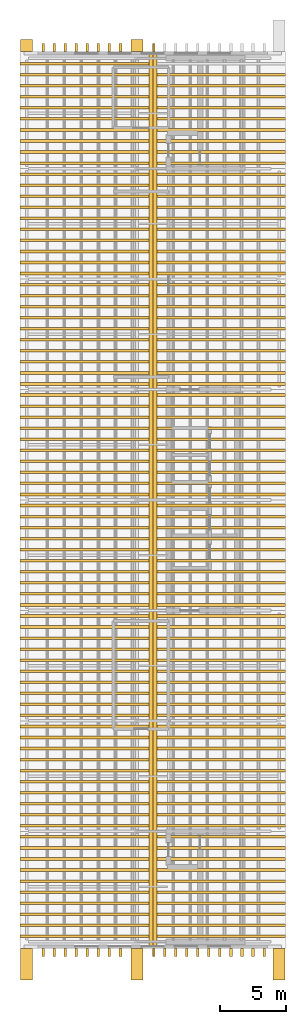
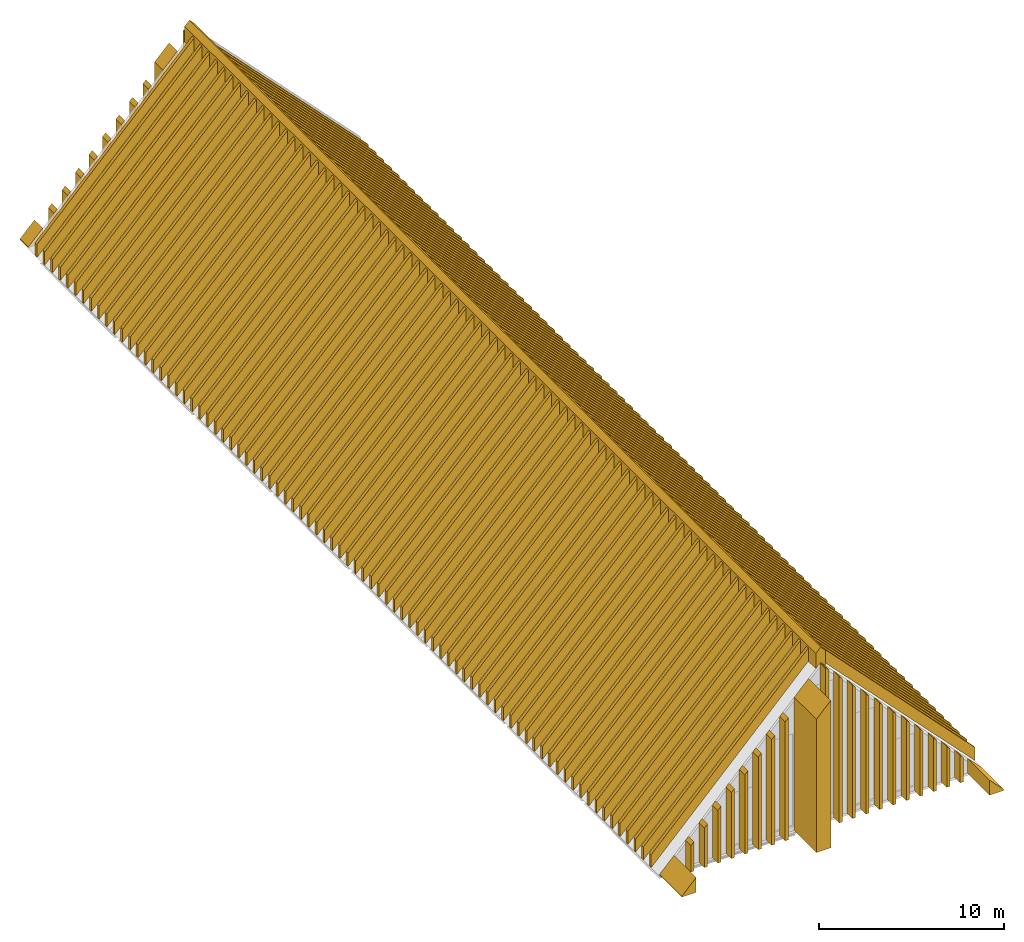
# One storey, part 5 of 6: 193 coverings.
"""IFC4 building model written with IfcOpenShell, lengths in metres."""

from ifc_helpers import new_model, si_unit, direction, frame, origin, place, context, subcontext, project, spatial, polyline, outline, extrude, material, type_object, element, save


model = new_model("IFC4")

# Units and contexts
model_context = context("Model", 3, precision=1e-05, world=origin(), true_north=direction((0.0, 1.0)))
body_context = subcontext(model_context, "Body", "Model", "MODEL_VIEW")
ifc_project = project(units=[si_unit("LENGTHUNIT", "METRE"), si_unit("AREAUNIT", "SQUARE_METRE"), si_unit("VOLUMEUNIT", "CUBIC_METRE"), si_unit("PLANEANGLEUNIT", "RADIAN"), si_unit("MASSUNIT", "GRAM", prefix="KILO")], contexts=[model_context])

# Site, building, storey
site_placement = place(None, origin())
site = spatial("IfcSite", under=ifc_project, at=site_placement, CompositionType="ELEMENT")
building_placement = place(site_placement, origin())
building = spatial("IfcBuilding", under=site, at=building_placement, Name="Cresset Court Congress Hotel", CompositionType="ELEMENT")
storey_placement = place(building_placement, frame((0.0, 0.0, 64.800048828125)))
storey = spatial("IfcBuildingStorey", under=building, at=storey_placement, Name="L15", CompositionType="ELEMENT", Elevation=64.800048828125)

# Coverings
ifc_material_1 = material(Name="Precast concrete C50", Category="concrete")
covering_type_1 = type_object("IfcCoveringType", Name="Precast stone fin 200x600", PredefinedType="CLADDING", material=ifc_material_1)
covering_1_placement = place(storey_placement, frame((0.0, -0.800048828125, -64.800048828125)))
element("IfcCovering", 1, at=covering_1_placement, inside=storey, type_object=covering_type_1, Name="Fin S002", PredefinedType="CLADDING", context=body_context, shape_type="SweptSolid", body=[
    extrude(outline(polyline([(158.360107421875, 64.800048828125), (158.56005859375, 64.800048828125), (158.56005859375, 66.733642578125), (158.360107421875, 66.525634765625), (158.360107421875, 64.800048828125)])), frame((0.0, 0.300048828125, 0.0), z_axis=(0.0, -1.0, 0.0), x_axis=(1.0, 0.0, 0.0)), (0.0, 0.0, 1.0), 0.60009765625),
])
covering_2_placement = place(storey_placement, frame((0.0, -0.800048828125, -64.800048828125)))
element("IfcCovering", 2, at=covering_2_placement, inside=storey, type_object=covering_type_1, Name="Fin S003", PredefinedType="CLADDING", context=body_context, shape_type="SweptSolid", body=[
    extrude(outline(polyline([(159.199951171875, 64.800048828125), (159.39990234375, 64.800048828125), (159.39990234375, 67.60693359375), (159.199951171875, 67.39892578125), (159.199951171875, 64.800048828125)])), frame((0.0, 0.300048828125, 0.0), z_axis=(0.0, -1.0, 0.0), x_axis=(1.0, 0.0, 0.0)), (0.0, 0.0, 1.0), 0.60009765625),
])
covering_3_placement = place(storey_placement, frame((0.0, -0.800048828125, -64.800048828125)))
element("IfcCovering", 3, at=covering_3_placement, inside=storey, type_object=covering_type_1, Name="Fin S004", PredefinedType="CLADDING", context=body_context, shape_type="SweptSolid", body=[
    extrude(outline(polyline([(160.0400390625, 64.800048828125), (160.239990234375, 64.800048828125), (160.239990234375, 68.480224609375), (160.0400390625, 68.272216796875), (160.0400390625, 64.800048828125)])), frame((0.0, 0.300048828125, 0.0), z_axis=(0.0, -1.0, 0.0), x_axis=(1.0, 0.0, 0.0)), (0.0, 0.0, 1.0), 0.60009765625),
])
covering_4_placement = place(storey_placement, frame((0.0, -0.800048828125, -64.800048828125)))
element("IfcCovering", 4, at=covering_4_placement, inside=storey, type_object=covering_type_1, Name="Fin S005", PredefinedType="CLADDING", context=body_context, shape_type="SweptSolid", body=[
    extrude(outline(polyline([(160.8798828125, 64.800048828125), (161.080078125, 64.800048828125), (161.080078125, 69.353515625), (160.8798828125, 69.1455078125), (160.8798828125, 64.800048828125)])), frame((0.0, 0.300048828125, 0.0), z_axis=(0.0, -1.0, 0.0), x_axis=(1.0, 0.0, 0.0)), (0.0, 0.0, 1.0), 0.60009765625),
])
covering_5_placement = place(storey_placement, frame((0.0, -0.800048828125, -64.800048828125)))
element("IfcCovering", 5, at=covering_5_placement, inside=storey, type_object=covering_type_1, Name="Fin S006", PredefinedType="CLADDING", context=body_context, shape_type="SweptSolid", body=[
    extrude(outline(polyline([(161.719970703125, 64.800048828125), (161.919921875, 64.800048828125), (161.919921875, 70.226806640625), (161.719970703125, 70.018798828125), (161.719970703125, 64.800048828125)])), frame((0.0, 0.300048828125, 0.0), z_axis=(0.0, -1.0, 0.0), x_axis=(1.0, 0.0, 0.0)), (0.0, 0.0, 1.0), 0.60009765625),
])
covering_6_placement = place(storey_placement, frame((0.0, -0.800048828125, -64.800048828125)))
element("IfcCovering", 6, at=covering_6_placement, inside=storey, type_object=covering_type_1, Name="Fin S007", PredefinedType="CLADDING", context=body_context, shape_type="SweptSolid", body=[
    extrude(outline(polyline([(162.56005859375, 64.800048828125), (162.760009765625, 64.800048828125), (162.760009765625, 71.10009765625), (162.56005859375, 70.89208984375), (162.56005859375, 64.800048828125)])), frame((0.0, 0.300048828125, 0.0), z_axis=(0.0, -1.0, 0.0), x_axis=(1.0, 0.0, 0.0)), (0.0, 0.0, 1.0), 0.60009765625),
])
covering_7_placement = place(storey_placement, frame((0.0, -0.800048828125, -64.800048828125)))
element("IfcCovering", 7, at=covering_7_placement, inside=storey, type_object=covering_type_1, Name="Fin S008", PredefinedType="CLADDING", context=body_context, shape_type="SweptSolid", body=[
    extrude(outline(polyline([(163.39990234375, 64.800048828125), (163.60009765625, 64.800048828125), (163.60009765625, 71.973388671875), (163.39990234375, 71.765380859375), (163.39990234375, 64.800048828125)])), frame((0.0, 0.300048828125, 0.0), z_axis=(0.0, -1.0, 0.0), x_axis=(1.0, 0.0, 0.0)), (0.0, 0.0, 1.0), 0.60009765625),
])
covering_8_placement = place(storey_placement, frame((0.0, -0.800048828125, -64.800048828125)))
element("IfcCovering", 8, at=covering_8_placement, inside=storey, type_object=covering_type_1, Name="Fin S009", PredefinedType="CLADDING", context=body_context, shape_type="SweptSolid", body=[
    extrude(outline(polyline([(164.239990234375, 64.800048828125), (164.43994140625, 64.800048828125), (164.43994140625, 72.846435546875), (164.239990234375, 72.638671875), (164.239990234375, 64.800048828125)])), frame((0.0, 0.300048828125, 0.0), z_axis=(0.0, -1.0, 0.0), x_axis=(1.0, 0.0, 0.0)), (0.0, 0.0, 1.0), 0.60009765625),
])
covering_9_placement = place(storey_placement, frame((0.0, -0.800048828125, -64.800048828125)))
element("IfcCovering", 9, at=covering_9_placement, inside=storey, type_object=covering_type_1, Name="Fin S012", PredefinedType="CLADDING", context=body_context, shape_type="SweptSolid", body=[
    extrude(outline(polyline([(166.760009765625, 64.800048828125), (166.9599609375, 64.800048828125), (166.9599609375, 75.1337890625), (166.800048828125, 75.300048828125), (166.760009765625, 75.25830078125), (166.760009765625, 64.800048828125)])), frame((0.0, 0.300048828125, 0.0), z_axis=(0.0, -1.0, 0.0), x_axis=(1.0, 0.0, 0.0)), (0.0, 0.0, 1.0), 0.60009765625),
])
covering_10_placement = place(storey_placement, frame((0.0, -0.800048828125, -64.800048828125)))
element("IfcCovering", 10, at=covering_10_placement, inside=storey, type_object=covering_type_1, Name="Fin S013", PredefinedType="CLADDING", context=body_context, shape_type="SweptSolid", body=[
    extrude(outline(polyline([(167.60009765625, 64.800048828125), (167.800048828125, 64.800048828125), (167.800048828125, 74.260498046875), (167.60009765625, 74.46826171875), (167.60009765625, 64.800048828125)])), frame((0.0, 0.300048828125, 0.0), z_axis=(0.0, -1.0, 0.0), x_axis=(1.0, 0.0, 0.0)), (0.0, 0.0, 1.0), 0.60009765625),
])
covering_11_placement = place(storey_placement, frame((0.0, -0.800048828125, -64.800048828125)))
element("IfcCovering", 11, at=covering_11_placement, inside=storey, type_object=covering_type_1, Name="Fin S014", PredefinedType="CLADDING", context=body_context, shape_type="SweptSolid", body=[
    extrude(outline(polyline([(168.43994140625, 64.800048828125), (168.639892578125, 64.800048828125), (168.639892578125, 73.38720703125), (168.43994140625, 73.594970703125), (168.43994140625, 64.800048828125)])), frame((0.0, 0.300048828125, 0.0), z_axis=(0.0, -1.0, 0.0), x_axis=(1.0, 0.0, 0.0)), (0.0, 0.0, 1.0), 0.60009765625),
])
covering_12_placement = place(storey_placement, frame((0.0, -0.800048828125, -64.800048828125)))
element("IfcCovering", 12, at=covering_12_placement, inside=storey, type_object=covering_type_1, Name="Fin S015", PredefinedType="CLADDING", context=body_context, shape_type="SweptSolid", body=[
    extrude(outline(polyline([(169.280029296875, 64.800048828125), (169.47998046875, 64.800048828125), (169.47998046875, 72.513916015625), (169.280029296875, 72.7216796875), (169.280029296875, 64.800048828125)])), frame((0.0, 0.300048828125, 0.0), z_axis=(0.0, -1.0, 0.0), x_axis=(1.0, 0.0, 0.0)), (0.0, 0.0, 1.0), 0.60009765625),
])
covering_13_placement = place(storey_placement, frame((0.0, -0.800048828125, -64.800048828125)))
element("IfcCovering", 13, at=covering_13_placement, inside=storey, type_object=covering_type_1, Name="Fin S016", PredefinedType="CLADDING", context=body_context, shape_type="SweptSolid", body=[
    extrude(outline(polyline([(170.1201171875, 64.800048828125), (170.320068359375, 64.800048828125), (170.320068359375, 71.640625), (170.1201171875, 71.848388671875), (170.1201171875, 64.800048828125)])), frame((0.0, 0.300048828125, 0.0), z_axis=(0.0, -1.0, 0.0), x_axis=(1.0, 0.0, 0.0)), (0.0, 0.0, 1.0), 0.60009765625),
])
covering_14_placement = place(storey_placement, frame((0.0, -0.800048828125, -64.800048828125)))
element("IfcCovering", 14, at=covering_14_placement, inside=storey, type_object=covering_type_1, Name="Fin S017", PredefinedType="CLADDING", context=body_context, shape_type="SweptSolid", body=[
    extrude(outline(polyline([(170.9599609375, 64.800048828125), (171.159912109375, 64.800048828125), (171.159912109375, 70.767333984375), (170.9599609375, 70.97509765625), (170.9599609375, 64.800048828125)])), frame((0.0, 0.300048828125, 0.0), z_axis=(0.0, -1.0, 0.0), x_axis=(1.0, 0.0, 0.0)), (0.0, 0.0, 1.0), 0.60009765625),
])
covering_15_placement = place(storey_placement, frame((0.0, -0.800048828125, -64.800048828125)))
element("IfcCovering", 15, at=covering_15_placement, inside=storey, type_object=covering_type_1, Name="Fin S018", PredefinedType="CLADDING", context=body_context, shape_type="SweptSolid", body=[
    extrude(outline(polyline([(171.800048828125, 64.800048828125), (172.0, 64.800048828125), (172.0, 69.89404296875), (171.800048828125, 70.10205078125), (171.800048828125, 64.800048828125)])), frame((0.0, 0.300048828125, 0.0), z_axis=(0.0, -1.0, 0.0), x_axis=(1.0, 0.0, 0.0)), (0.0, 0.0, 1.0), 0.60009765625),
])
covering_16_placement = place(storey_placement, frame((0.0, -0.800048828125, -64.800048828125)))
element("IfcCovering", 16, at=covering_16_placement, inside=storey, type_object=covering_type_1, Name="Fin S019", PredefinedType="CLADDING", context=body_context, shape_type="SweptSolid", body=[
    extrude(outline(polyline([(172.639892578125, 64.800048828125), (172.840087890625, 64.800048828125), (172.840087890625, 69.020751953125), (172.639892578125, 69.228759765625), (172.639892578125, 64.800048828125)])), frame((0.0, 0.300048828125, 0.0), z_axis=(0.0, -1.0, 0.0), x_axis=(1.0, 0.0, 0.0)), (0.0, 0.0, 1.0), 0.60009765625),
])
covering_17_placement = place(storey_placement, frame((0.0, -0.800048828125, -64.800048828125)))
element("IfcCovering", 17, at=covering_17_placement, inside=storey, type_object=covering_type_1, Name="Fin S020", PredefinedType="CLADDING", context=body_context, shape_type="SweptSolid", body=[
    extrude(outline(polyline([(173.47998046875, 64.800048828125), (173.679931640625, 64.800048828125), (173.679931640625, 68.1474609375), (173.47998046875, 68.35546875), (173.47998046875, 64.800048828125)])), frame((0.0, 0.300048828125, 0.0), z_axis=(0.0, -1.0, 0.0), x_axis=(1.0, 0.0, 0.0)), (0.0, 0.0, 1.0), 0.60009765625),
])
covering_18_placement = place(storey_placement, frame((0.0, -0.800048828125, -64.800048828125)))
element("IfcCovering", 18, at=covering_18_placement, inside=storey, type_object=covering_type_1, Name="Fin S021", PredefinedType="CLADDING", context=body_context, shape_type="SweptSolid", body=[
    extrude(outline(polyline([(174.320068359375, 64.800048828125), (174.52001953125, 64.800048828125), (174.52001953125, 67.2744140625), (174.320068359375, 67.482177734375), (174.320068359375, 64.800048828125)])), frame((0.0, 0.300048828125, 0.0), z_axis=(0.0, -1.0, 0.0), x_axis=(1.0, 0.0, 0.0)), (0.0, 0.0, 1.0), 0.60009765625),
])
covering_19_placement = place(storey_placement, frame((0.0, -0.800048828125, -64.800048828125)))
element("IfcCovering", 19, at=covering_19_placement, inside=storey, type_object=covering_type_1, Name="Fin S022", PredefinedType="CLADDING", context=body_context, shape_type="SweptSolid", body=[
    extrude(outline(polyline([(175.159912109375, 64.800048828125), (175.360107421875, 64.800048828125), (175.360107421875, 66.40087890625), (175.159912109375, 66.60888671875), (175.159912109375, 64.800048828125)])), frame((0.0, 0.300048828125, 0.0), z_axis=(0.0, -1.0, 0.0), x_axis=(1.0, 0.0, 0.0)), (0.0, 0.0, 1.0), 0.60009765625),
])
covering_20_placement = place(storey_placement, frame((0.0, 68.0, -64.800048828125)))
element("IfcCovering", 20, at=covering_20_placement, inside=storey, type_object=covering_type_1, Name="Fin N002", PredefinedType="CLADDING", context=body_context, shape_type="SweptSolid", body=[
    extrude(outline(polyline([(158.360107421875, 64.800048828125), (158.56005859375, 64.800048828125), (158.56005859375, 66.733642578125), (158.360107421875, 66.525634765625), (158.360107421875, 64.800048828125)])), frame((0.0, 0.300048828125, 0.0), z_axis=(0.0, -1.0, 0.0), x_axis=(1.0, 0.0, 0.0)), (0.0, 0.0, 1.0), 0.60009765625),
])
covering_21_placement = place(storey_placement, frame((0.0, 68.0, -64.800048828125)))
element("IfcCovering", 21, at=covering_21_placement, inside=storey, type_object=covering_type_1, Name="Fin N003", PredefinedType="CLADDING", context=body_context, shape_type="SweptSolid", body=[
    extrude(outline(polyline([(159.199951171875, 64.800048828125), (159.39990234375, 64.800048828125), (159.39990234375, 67.60693359375), (159.199951171875, 67.39892578125), (159.199951171875, 64.800048828125)])), frame((0.0, 0.300048828125, 0.0), z_axis=(0.0, -1.0, 0.0), x_axis=(1.0, 0.0, 0.0)), (0.0, 0.0, 1.0), 0.60009765625),
])
covering_22_placement = place(storey_placement, frame((0.0, 68.0, -64.800048828125)))
element("IfcCovering", 22, at=covering_22_placement, inside=storey, type_object=covering_type_1, Name="Fin N004", PredefinedType="CLADDING", context=body_context, shape_type="SweptSolid", body=[
    extrude(outline(polyline([(160.0400390625, 64.800048828125), (160.239990234375, 64.800048828125), (160.239990234375, 68.480224609375), (160.0400390625, 68.272216796875), (160.0400390625, 64.800048828125)])), frame((0.0, 0.300048828125, 0.0), z_axis=(0.0, -1.0, 0.0), x_axis=(1.0, 0.0, 0.0)), (0.0, 0.0, 1.0), 0.60009765625),
])
covering_23_placement = place(storey_placement, frame((0.0, 68.0, -64.800048828125)))
element("IfcCovering", 23, at=covering_23_placement, inside=storey, type_object=covering_type_1, Name="Fin N005", PredefinedType="CLADDING", context=body_context, shape_type="SweptSolid", body=[
    extrude(outline(polyline([(160.8798828125, 64.800048828125), (161.080078125, 64.800048828125), (161.080078125, 69.353515625), (160.8798828125, 69.1455078125), (160.8798828125, 64.800048828125)])), frame((0.0, 0.300048828125, 0.0), z_axis=(0.0, -1.0, 0.0), x_axis=(1.0, 0.0, 0.0)), (0.0, 0.0, 1.0), 0.60009765625),
])
covering_24_placement = place(storey_placement, frame((0.0, 68.0, -64.800048828125)))
element("IfcCovering", 24, at=covering_24_placement, inside=storey, type_object=covering_type_1, Name="Fin N006", PredefinedType="CLADDING", context=body_context, shape_type="SweptSolid", body=[
    extrude(outline(polyline([(161.719970703125, 64.800048828125), (161.919921875, 64.800048828125), (161.919921875, 70.226806640625), (161.719970703125, 70.018798828125), (161.719970703125, 64.800048828125)])), frame((0.0, 0.300048828125, 0.0), z_axis=(0.0, -1.0, 0.0), x_axis=(1.0, 0.0, 0.0)), (0.0, 0.0, 1.0), 0.60009765625),
])
covering_25_placement = place(storey_placement, frame((0.0, 68.0, -64.800048828125)))
element("IfcCovering", 25, at=covering_25_placement, inside=storey, type_object=covering_type_1, Name="Fin N007", PredefinedType="CLADDING", context=body_context, shape_type="SweptSolid", body=[
    extrude(outline(polyline([(162.56005859375, 64.800048828125), (162.760009765625, 64.800048828125), (162.760009765625, 71.10009765625), (162.56005859375, 70.89208984375), (162.56005859375, 64.800048828125)])), frame((0.0, 0.300048828125, 0.0), z_axis=(0.0, -1.0, 0.0), x_axis=(1.0, 0.0, 0.0)), (0.0, 0.0, 1.0), 0.60009765625),
])
covering_26_placement = place(storey_placement, frame((0.0, 68.0, -64.800048828125)))
element("IfcCovering", 26, at=covering_26_placement, inside=storey, type_object=covering_type_1, Name="Fin N008", PredefinedType="CLADDING", context=body_context, shape_type="SweptSolid", body=[
    extrude(outline(polyline([(163.39990234375, 64.800048828125), (163.60009765625, 64.800048828125), (163.60009765625, 71.973388671875), (163.39990234375, 71.765380859375), (163.39990234375, 64.800048828125)])), frame((0.0, 0.300048828125, 0.0), z_axis=(0.0, -1.0, 0.0), x_axis=(1.0, 0.0, 0.0)), (0.0, 0.0, 1.0), 0.60009765625),
])
covering_27_placement = place(storey_placement, frame((0.0, 68.0, -64.800048828125)))
element("IfcCovering", 27, at=covering_27_placement, inside=storey, type_object=covering_type_1, Name="Fin N009", PredefinedType="CLADDING", context=body_context, shape_type="SweptSolid", body=[
    extrude(outline(polyline([(164.239990234375, 64.800048828125), (164.43994140625, 64.800048828125), (164.43994140625, 72.846435546875), (164.239990234375, 72.638671875), (164.239990234375, 64.800048828125)])), frame((0.0, 0.300048828125, 0.0), z_axis=(0.0, -1.0, 0.0), x_axis=(1.0, 0.0, 0.0)), (0.0, 0.0, 1.0), 0.60009765625),
])
covering_28_placement = place(storey_placement, frame((0.0, 68.0, -64.800048828125)))
element("IfcCovering", 28, at=covering_28_placement, inside=storey, type_object=covering_type_1, Name="Fin N012", PredefinedType="CLADDING", context=body_context, shape_type="SweptSolid", body=[
    extrude(outline(polyline([(166.760009765625, 64.800048828125), (166.9599609375, 64.800048828125), (166.9599609375, 75.1337890625), (166.800048828125, 75.300048828125), (166.760009765625, 75.25830078125), (166.760009765625, 64.800048828125)])), frame((0.0, 0.300048828125, 0.0), z_axis=(0.0, -1.0, 0.0), x_axis=(1.0, 0.0, 0.0)), (0.0, 0.0, 1.0), 0.60009765625),
])
ifc_material_2 = material(Name="Precast concrete C50", Category="concrete")
covering_type_2 = type_object("IfcCoveringType", Name="Precast stone pier 900x2400", PredefinedType="CLADDING", material=ifc_material_2)
covering_29_placement = place(storey_placement, frame((0.0, -1.699951171875, -64.800048828125)))
element("IfcCovering", 29, at=covering_29_placement, inside=storey, type_object=covering_type_2, Name="Pier S01", PredefinedType="CLADDING", context=body_context, shape_type="SweptSolid", body=[
    extrude(outline(polyline([(156.75, 64.800048828125), (157.64990234375, 64.800048828125), (157.64990234375, 65.78759765625), (156.75, 64.85205078125), (156.75, 64.800048828125)])), frame((0.0, 1.199951171875, 0.0), z_axis=(0.0, -1.0, 0.0), x_axis=(1.0, 0.0, 0.0)), (0.0, 0.0, 1.0), 2.39990234375),
])
covering_30_placement = place(storey_placement, frame((0.0, -1.699951171875, -64.800048828125)))
element("IfcCovering", 30, at=covering_30_placement, inside=storey, type_object=covering_type_2, Name="Pier S02", PredefinedType="CLADDING", context=body_context, shape_type="SweptSolid", body=[
    extrude(outline(polyline([(165.14990234375, 64.800048828125), (166.050048828125, 64.800048828125), (166.050048828125, 74.520263671875), (165.14990234375, 73.584716796875), (165.14990234375, 64.800048828125)])), frame((0.0, 1.199951171875, 0.0), z_axis=(0.0, -1.0, 0.0), x_axis=(1.0, 0.0, 0.0)), (0.0, 0.0, 1.0), 2.39990234375),
])
covering_31_placement = place(storey_placement, frame((0.0, -1.699951171875, -64.800048828125)))
element("IfcCovering", 31, at=covering_31_placement, inside=storey, type_object=covering_type_2, Name="Pier S03", PredefinedType="CLADDING", context=body_context, shape_type="SweptSolid", body=[
    extrude(outline(polyline([(175.949951171875, 64.800048828125), (176.85009765625, 64.800048828125), (176.85009765625, 64.85205078125), (175.949951171875, 65.78759765625), (175.949951171875, 64.800048828125)])), frame((0.0, 1.199951171875, 0.0), z_axis=(0.0, -1.0, 0.0), x_axis=(1.0, 0.0, 0.0)), (0.0, 0.0, 1.0), 2.39990234375),
])
ifc_material_3 = material(Name="Precast concrete C50", Category="concrete")
covering_type_3 = type_object("IfcCoveringType", Name="Precast stone pier 900x900", PredefinedType="CLADDING", material=ifc_material_3)
covering_32_placement = place(storey_placement, frame((0.0, 68.14990234375, -64.800048828125)))
element("IfcCovering", 32, at=covering_32_placement, inside=storey, type_object=covering_type_3, Name="Pier N01", PredefinedType="CLADDING", context=body_context, shape_type="SweptSolid", body=[
    extrude(outline(polyline([(156.75, 64.800048828125), (157.64990234375, 64.800048828125), (157.64990234375, 65.78759765625), (156.75, 64.85205078125), (156.75, 64.800048828125)])), frame((0.0, 0.449951171875, 0.0), z_axis=(0.0, -1.0, 0.0), x_axis=(1.0, 0.0, 0.0)), (0.0, 0.0, 1.0), 0.89990234375),
])
covering_33_placement = place(storey_placement, frame((0.0, 68.14990234375, -64.800048828125)))
element("IfcCovering", 33, at=covering_33_placement, inside=storey, type_object=covering_type_3, Name="Pier N02", PredefinedType="CLADDING", context=body_context, shape_type="SweptSolid", body=[
    extrude(outline(polyline([(165.14990234375, 64.800048828125), (166.050048828125, 64.800048828125), (166.050048828125, 74.520263671875), (165.14990234375, 73.584716796875), (165.14990234375, 64.800048828125)])), frame((0.0, 0.449951171875, 0.0), z_axis=(0.0, -1.0, 0.0), x_axis=(1.0, 0.0, 0.0)), (0.0, 0.0, 1.0), 0.89990234375),
])
ifc_material_4 = material(Name="Precast concrete C50", Category="concrete")
covering_type_4 = type_object("IfcCoveringType", Name="Precast stone ridge cap 600", PredefinedType="CLADDING", material=ifc_material_4)
covering_34_placement = place(storey_placement, frame((0.0, 33.60009765625, -64.800048828125)))
element("IfcCovering", 34, at=covering_34_placement, inside=storey, type_object=covering_type_4, Name="Ridge cap", PredefinedType="CLADDING", context=body_context, shape_type="SweptSolid", body=[
    extrude(outline(polyline([(166.5, 74.988037109375), (166.800048828125, 75.300048828125), (167.10009765625, 74.988037109375), (167.10009765625, 76.003662109375), (166.800048828125, 76.3154296875), (166.5, 76.003662109375), (166.5, 74.988037109375)])), frame((0.0, 34.10009765625, 0.0), z_axis=(0.0, -1.0, 0.0), x_axis=(1.0, 0.0, 0.0)), (0.0, 0.0, 1.0), 68.199951171875),
])
ifc_material_5 = material(Name="Precast concrete C50", Category="concrete")
covering_type_5 = type_object("IfcCoveringType", Name="Precast stone roof rib 200x600", PredefinedType="CLADDING", material=ifc_material_5)
for number, where, name in (
    (35, (0.0, 0.419921875, -64.800048828125), "Roof rib W001"),
    (36, (0.0, 1.260009765625, -64.800048828125), "Roof rib W002"),
    (37, (0.0, 2.10009765625, -64.800048828125), "Roof rib W003"),
    (38, (0.0, 2.93994140625, -64.800048828125), "Roof rib W004"),
    (39, (0.0, 3.780029296875, -64.800048828125), "Roof rib W005"),
    (40, (0.0, 4.6201171875, -64.800048828125), "Roof rib W006"),
    (41, (0.0, 5.4599609375, -64.800048828125), "Roof rib W007"),
    (42, (0.0, 6.300048828125, -64.800048828125), "Roof rib W008"),
    (43, (0.0, 7.139892578125, -64.800048828125), "Roof rib W009"),
    (44, (0.0, 7.97998046875, -64.800048828125), "Roof rib W010"),
    (45, (0.0, 8.820068359375, -64.800048828125), "Roof rib W011"),
    (46, (0.0, 9.659912109375, -64.800048828125), "Roof rib W012"),
    (47, (0.0, 10.5, -64.800048828125), "Roof rib W013"),
    (48, (0.0, 11.340087890625, -64.800048828125), "Roof rib W014"),
    (49, (0.0, 12.179931640625, -64.800048828125), "Roof rib W015"),
    (50, (0.0, 13.02001953125, -64.800048828125), "Roof rib W016"),
    (51, (0.0, 13.860107421875, -64.800048828125), "Roof rib W017"),
    (52, (0.0, 14.699951171875, -64.800048828125), "Roof rib W018"),
    (53, (0.0, 15.5400390625, -64.800048828125), "Roof rib W019"),
    (54, (0.0, 16.3798828125, -64.800048828125), "Roof rib W020"),
    (55, (0.0, 17.219970703125, -64.800048828125), "Roof rib W021"),
    (56, (0.0, 18.06005859375, -64.800048828125), "Roof rib W022"),
    (57, (0.0, 18.89990234375, -64.800048828125), "Roof rib W023"),
    (58, (0.0, 19.739990234375, -64.800048828125), "Roof rib W024"),
    (59, (0.0, 20.580078125, -64.800048828125), "Roof rib W025"),
    (60, (0.0, 21.419921875, -64.800048828125), "Roof rib W026"),
    (61, (0.0, 22.260009765625, -64.800048828125), "Roof rib W027"),
    (62, (0.0, 23.10009765625, -64.800048828125), "Roof rib W028"),
    (63, (0.0, 23.93994140625, -64.800048828125), "Roof rib W029"),
    (64, (0.0, 24.780029296875, -64.800048828125), "Roof rib W030"),
    (65, (0.0, 25.6201171875, -64.800048828125), "Roof rib W031"),
    (66, (0.0, 26.4599609375, -64.800048828125), "Roof rib W032"),
    (67, (0.0, 27.300048828125, -64.800048828125), "Roof rib W033"),
    (68, (0.0, 28.139892578125, -64.800048828125), "Roof rib W034"),
    (69, (0.0, 28.97998046875, -64.800048828125), "Roof rib W035"),
    (70, (0.0, 29.820068359375, -64.800048828125), "Roof rib W036"),
    (71, (0.0, 30.659912109375, -64.800048828125), "Roof rib W037"),
    (72, (0.0, 31.5, -64.800048828125), "Roof rib W038"),
    (73, (0.0, 32.340087890625, -64.800048828125), "Roof rib W039"),
    (74, (0.0, 33.179931640625, -64.800048828125), "Roof rib W040"),
    (75, (0.0, 34.02001953125, -64.800048828125), "Roof rib W041"),
    (76, (0.0, 34.860107421875, -64.800048828125), "Roof rib W042"),
    (77, (0.0, 35.699951171875, -64.800048828125), "Roof rib W043"),
    (78, (0.0, 36.5400390625, -64.800048828125), "Roof rib W044"),
    (79, (0.0, 37.3798828125, -64.800048828125), "Roof rib W045"),
    (80, (0.0, 38.219970703125, -64.800048828125), "Roof rib W046"),
    (81, (0.0, 39.06005859375, -64.800048828125), "Roof rib W047"),
    (82, (0.0, 39.89990234375, -64.800048828125), "Roof rib W048"),
    (83, (0.0, 40.739990234375, -64.800048828125), "Roof rib W049"),
    (84, (0.0, 41.580078125, -64.800048828125), "Roof rib W050"),
    (85, (0.0, 42.419921875, -64.800048828125), "Roof rib W051"),
    (86, (0.0, 43.260009765625, -64.800048828125), "Roof rib W052"),
    (87, (0.0, 44.10009765625, -64.800048828125), "Roof rib W053"),
    (88, (0.0, 44.93994140625, -64.800048828125), "Roof rib W054"),
    (89, (0.0, 45.780029296875, -64.800048828125), "Roof rib W055"),
    (90, (0.0, 46.6201171875, -64.800048828125), "Roof rib W056"),
    (91, (0.0, 47.4599609375, -64.800048828125), "Roof rib W057"),
    (92, (0.0, 48.300048828125, -64.800048828125), "Roof rib W058"),
    (93, (0.0, 49.139892578125, -64.800048828125), "Roof rib W059"),
    (94, (0.0, 49.97998046875, -64.800048828125), "Roof rib W060"),
    (95, (0.0, 50.820068359375, -64.800048828125), "Roof rib W061"),
    (96, (0.0, 51.659912109375, -64.800048828125), "Roof rib W062"),
    (97, (0.0, 52.5, -64.800048828125), "Roof rib W063"),
    (98, (0.0, 53.340087890625, -64.800048828125), "Roof rib W064"),
    (99, (0.0, 54.179931640625, -64.800048828125), "Roof rib W065"),
    (100, (0.0, 55.02001953125, -64.800048828125), "Roof rib W066"),
    (101, (0.0, 55.860107421875, -64.800048828125), "Roof rib W067"),
    (102, (0.0, 56.699951171875, -64.800048828125), "Roof rib W068"),
    (103, (0.0, 57.5400390625, -64.800048828125), "Roof rib W069"),
    (104, (0.0, 58.3798828125, -64.800048828125), "Roof rib W070"),
    (105, (0.0, 59.219970703125, -64.800048828125), "Roof rib W071"),
    (106, (0.0, 60.06005859375, -64.800048828125), "Roof rib W072"),
    (107, (0.0, 60.89990234375, -64.800048828125), "Roof rib W073"),
    (108, (0.0, 61.739990234375, -64.800048828125), "Roof rib W074"),
    (109, (0.0, 62.580078125, -64.800048828125), "Roof rib W075"),
    (110, (0.0, 63.419921875, -64.800048828125), "Roof rib W076"),
    (111, (0.0, 64.260009765625, -64.800048828125), "Roof rib W077"),
    (112, (0.0, 65.10009765625, -64.800048828125), "Roof rib W078"),
    (113, (0.0, 65.93994140625, -64.800048828125), "Roof rib W079"),
    (114, (0.0, 66.780029296875, -64.800048828125), "Roof rib W080"),
):
    element("IfcCovering", number, at=place(storey_placement, frame(where)), inside=storey, type_object=covering_type_5, Name=name, PredefinedType="CLADDING", context=body_context, shape_type="SweptSolid", body=[
        extrude(outline(polyline([(166.5, 74.988037109375), (156.699951171875, 64.800048828125), (156.699951171875, 65.66552734375), (166.5, 75.853515625), (166.5, 74.988037109375)])), frame((0.0, 0.10009765625, 0.0), z_axis=(0.0, -1.0, 0.0), x_axis=(1.0, 0.0, 0.0)), (0.0, 0.0, 1.0), 0.199951171875),
    ])
for number, where, name in (
    (115, (0.0, 0.419921875, -64.800048828125), "Roof rib E001"),
    (116, (0.0, 1.260009765625, -64.800048828125), "Roof rib E002"),
    (117, (0.0, 2.10009765625, -64.800048828125), "Roof rib E003"),
    (118, (0.0, 2.93994140625, -64.800048828125), "Roof rib E004"),
    (119, (0.0, 3.780029296875, -64.800048828125), "Roof rib E005"),
    (120, (0.0, 4.6201171875, -64.800048828125), "Roof rib E006"),
    (121, (0.0, 5.4599609375, -64.800048828125), "Roof rib E007"),
    (122, (0.0, 6.300048828125, -64.800048828125), "Roof rib E008"),
    (123, (0.0, 7.139892578125, -64.800048828125), "Roof rib E009"),
    (124, (0.0, 7.97998046875, -64.800048828125), "Roof rib E010"),
    (125, (0.0, 8.820068359375, -64.800048828125), "Roof rib E011"),
    (126, (0.0, 9.659912109375, -64.800048828125), "Roof rib E012"),
    (127, (0.0, 10.5, -64.800048828125), "Roof rib E013"),
    (128, (0.0, 11.340087890625, -64.800048828125), "Roof rib E014"),
    (129, (0.0, 12.179931640625, -64.800048828125), "Roof rib E015"),
    (130, (0.0, 13.02001953125, -64.800048828125), "Roof rib E016"),
    (131, (0.0, 13.860107421875, -64.800048828125), "Roof rib E017"),
    (132, (0.0, 14.699951171875, -64.800048828125), "Roof rib E018"),
    (133, (0.0, 15.5400390625, -64.800048828125), "Roof rib E019"),
    (134, (0.0, 16.3798828125, -64.800048828125), "Roof rib E020"),
    (135, (0.0, 17.219970703125, -64.800048828125), "Roof rib E021"),
    (136, (0.0, 18.06005859375, -64.800048828125), "Roof rib E022"),
    (137, (0.0, 18.89990234375, -64.800048828125), "Roof rib E023"),
    (138, (0.0, 19.739990234375, -64.800048828125), "Roof rib E024"),
    (139, (0.0, 20.580078125, -64.800048828125), "Roof rib E025"),
    (140, (0.0, 21.419921875, -64.800048828125), "Roof rib E026"),
    (141, (0.0, 22.260009765625, -64.800048828125), "Roof rib E027"),
    (142, (0.0, 23.10009765625, -64.800048828125), "Roof rib E028"),
    (143, (0.0, 23.93994140625, -64.800048828125), "Roof rib E029"),
    (144, (0.0, 24.780029296875, -64.800048828125), "Roof rib E030"),
    (145, (0.0, 25.6201171875, -64.800048828125), "Roof rib E031"),
    (146, (0.0, 26.4599609375, -64.800048828125), "Roof rib E032"),
    (147, (0.0, 27.300048828125, -64.800048828125), "Roof rib E033"),
    (148, (0.0, 28.139892578125, -64.800048828125), "Roof rib E034"),
    (149, (0.0, 28.97998046875, -64.800048828125), "Roof rib E035"),
    (150, (0.0, 29.820068359375, -64.800048828125), "Roof rib E036"),
    (151, (0.0, 30.659912109375, -64.800048828125), "Roof rib E037"),
    (152, (0.0, 31.5, -64.800048828125), "Roof rib E038"),
    (153, (0.0, 32.340087890625, -64.800048828125), "Roof rib E039"),
    (154, (0.0, 33.179931640625, -64.800048828125), "Roof rib E040"),
    (155, (0.0, 34.02001953125, -64.800048828125), "Roof rib E041"),
    (156, (0.0, 34.860107421875, -64.800048828125), "Roof rib E042"),
    (157, (0.0, 35.699951171875, -64.800048828125), "Roof rib E043"),
    (158, (0.0, 36.5400390625, -64.800048828125), "Roof rib E044"),
    (159, (0.0, 37.3798828125, -64.800048828125), "Roof rib E045"),
    (160, (0.0, 38.219970703125, -64.800048828125), "Roof rib E046"),
    (161, (0.0, 39.06005859375, -64.800048828125), "Roof rib E047"),
    (162, (0.0, 39.89990234375, -64.800048828125), "Roof rib E048"),
    (163, (0.0, 40.739990234375, -64.800048828125), "Roof rib E049"),
    (164, (0.0, 41.580078125, -64.800048828125), "Roof rib E050"),
    (165, (0.0, 42.419921875, -64.800048828125), "Roof rib E051"),
    (166, (0.0, 43.260009765625, -64.800048828125), "Roof rib E052"),
    (167, (0.0, 44.10009765625, -64.800048828125), "Roof rib E053"),
    (168, (0.0, 44.93994140625, -64.800048828125), "Roof rib E054"),
    (169, (0.0, 45.780029296875, -64.800048828125), "Roof rib E055"),
    (170, (0.0, 46.6201171875, -64.800048828125), "Roof rib E056"),
    (171, (0.0, 47.4599609375, -64.800048828125), "Roof rib E057"),
    (172, (0.0, 48.300048828125, -64.800048828125), "Roof rib E058"),
    (173, (0.0, 49.139892578125, -64.800048828125), "Roof rib E059"),
    (174, (0.0, 49.97998046875, -64.800048828125), "Roof rib E060"),
    (175, (0.0, 50.820068359375, -64.800048828125), "Roof rib E061"),
    (176, (0.0, 51.659912109375, -64.800048828125), "Roof rib E062"),
    (177, (0.0, 52.5, -64.800048828125), "Roof rib E063"),
    (178, (0.0, 53.340087890625, -64.800048828125), "Roof rib E064"),
    (179, (0.0, 54.179931640625, -64.800048828125), "Roof rib E065"),
    (180, (0.0, 55.02001953125, -64.800048828125), "Roof rib E066"),
    (181, (0.0, 55.860107421875, -64.800048828125), "Roof rib E067"),
    (182, (0.0, 56.699951171875, -64.800048828125), "Roof rib E068"),
    (183, (0.0, 57.5400390625, -64.800048828125), "Roof rib E069"),
    (184, (0.0, 58.3798828125, -64.800048828125), "Roof rib E070"),
    (185, (0.0, 59.219970703125, -64.800048828125), "Roof rib E071"),
    (186, (0.0, 60.06005859375, -64.800048828125), "Roof rib E072"),
    (187, (0.0, 60.89990234375, -64.800048828125), "Roof rib E073"),
    (188, (0.0, 61.739990234375, -64.800048828125), "Roof rib E074"),
    (189, (0.0, 62.580078125, -64.800048828125), "Roof rib E075"),
    (190, (0.0, 63.419921875, -64.800048828125), "Roof rib E076"),
    (191, (0.0, 64.260009765625, -64.800048828125), "Roof rib E077"),
    (192, (0.0, 65.10009765625, -64.800048828125), "Roof rib E078"),
    (193, (0.0, 65.93994140625, -64.800048828125), "Roof rib E079"),
):
    element("IfcCovering", number, at=place(storey_placement, frame(where)), inside=storey, type_object=covering_type_5, Name=name, PredefinedType="CLADDING", context=body_context, shape_type="SweptSolid", body=[
        extrude(outline(polyline([(167.10009765625, 74.988037109375), (176.89990234375, 64.800048828125), (176.89990234375, 65.66552734375), (167.10009765625, 75.853515625), (167.10009765625, 74.988037109375)])), frame((0.0, 0.10009765625, 0.0), z_axis=(0.0, -1.0, 0.0), x_axis=(1.0, 0.0, 0.0)), (0.0, 0.0, 1.0), 0.199951171875),
    ])

save(model, "model.ifc")
